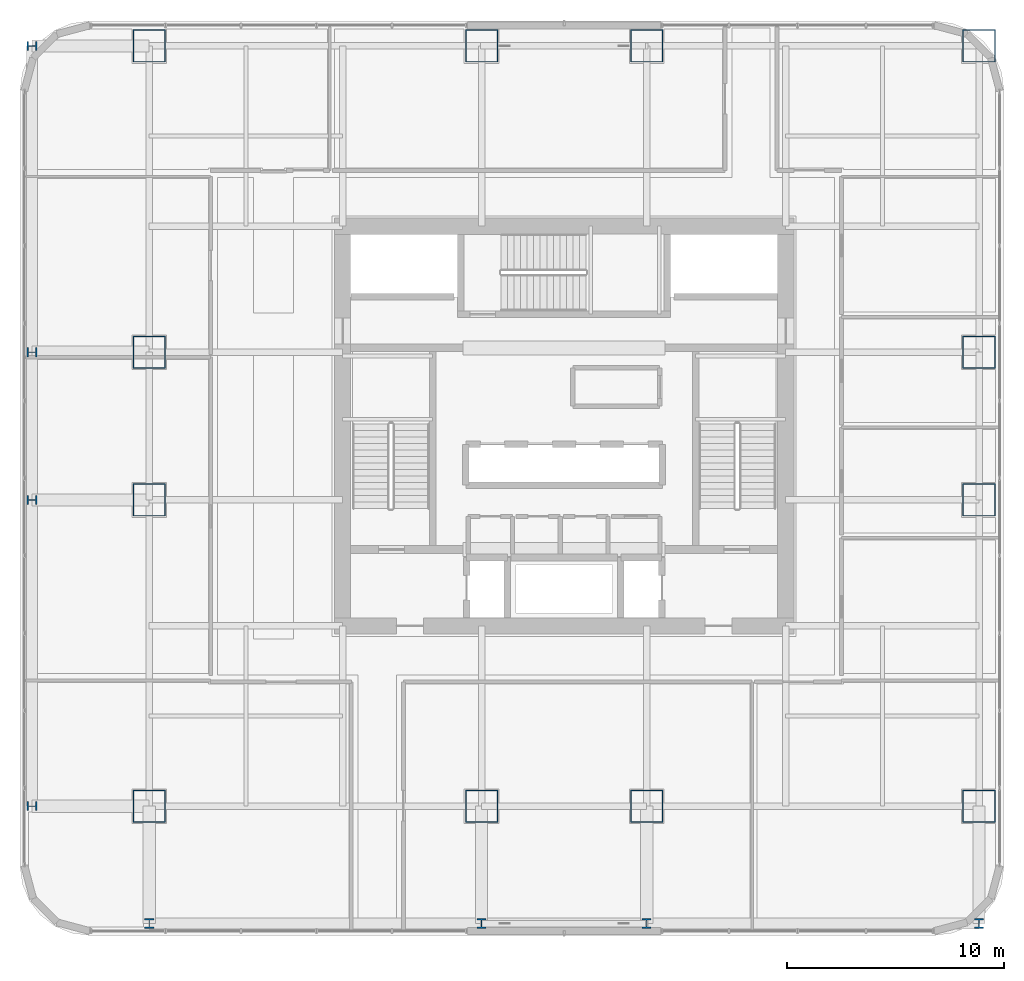
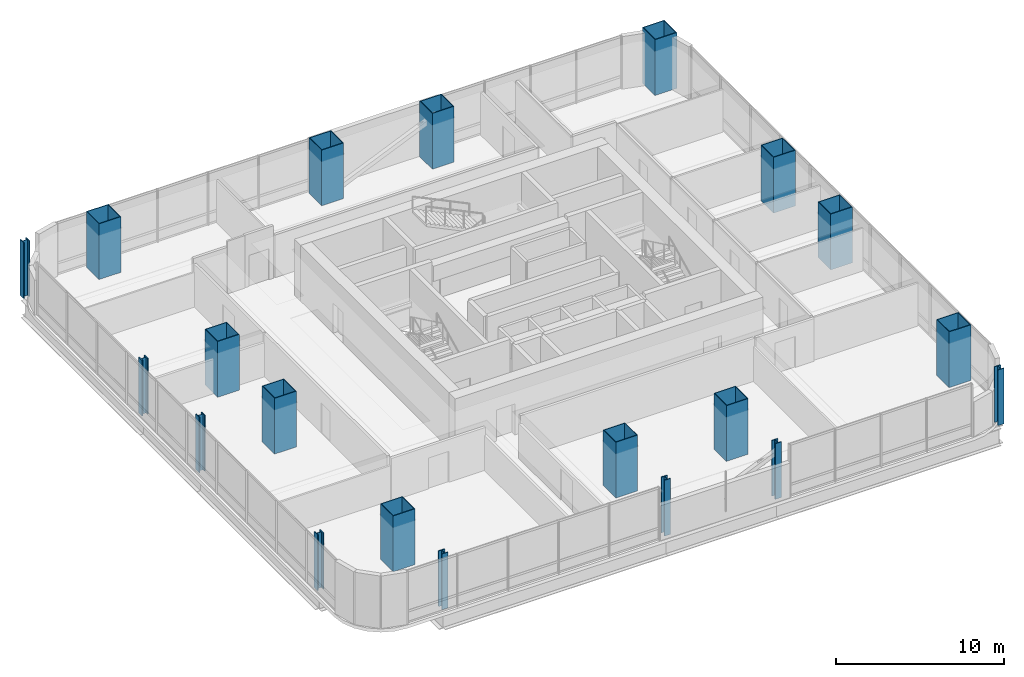
# One storey, part 1 of 37: 20 columns.
"""IFC4 building model written with IfcOpenShell, lengths in metres."""

from ifc_helpers import new_model, si_unit, direction, frame, origin, origin_2d, place, context, subcontext, project, spatial, hollow_rectangle, i_section, extrude, material, material_profile, profile_set, type_object, element, save


model = new_model("IFC4")

# Units and contexts
model_context = context("Model", 3, precision=1e-05, world=origin(), true_north=direction((0.0, 1.0)))
body_context = subcontext(model_context, "Body", "Model", "MODEL_VIEW")
ifc_project = project(units=[si_unit("LENGTHUNIT", "METRE"), si_unit("AREAUNIT", "SQUARE_METRE"), si_unit("VOLUMEUNIT", "CUBIC_METRE"), si_unit("PLANEANGLEUNIT", "RADIAN"), si_unit("MASSUNIT", "GRAM", prefix="KILO")], contexts=[model_context])

# Site, building, storey
site_placement = place(None, origin())
site = spatial("IfcSite", under=ifc_project, at=site_placement, CompositionType="ELEMENT")
building_placement = place(site_placement, origin())
building = spatial("IfcBuilding", under=site, at=building_placement, Name="Punatoya Terracotta Tower", CompositionType="ELEMENT")
storey_placement = place(building_placement, frame((0.0, 0.0, 44.39990234375)))
storey = spatial("IfcBuildingStorey", under=building, at=storey_placement, Name="L09", CompositionType="ELEMENT", Elevation=44.39990234375)

# Columns
ifc_material = material(Name="Steel S460", Category="steel")
ifc_material_profile_1 = material_profile(ifc_material, i_section(OverallWidth=0.416015625, OverallDepth=0.446044921875, WebThickness=0.0390625, FlangeThickness=0.06201171875, FilletRadius=0.01806640625, at=origin_2d()))
ifc_profile_set_1 = profile_set([ifc_material_profile_1], Name="Steel S460")
column_type_1 = type_object("IfcColumnType", Name="COL-EX-M1", PredefinedType="COLUMN", material=ifc_profile_set_1)
for number, where, z_axis, x_axis, name in (
    (1, (-19.10009765625, -22.89990234375, 0.0), (0.0, 0.0, 1.0), (1.0, 0.0, 0.0), "L09 Exoskeleton Perimeter Column S1"),
    (2, (-3.800048828125, -22.89990234375, 0.0), (0.0, 0.0, 1.0), (1.0, 0.0, 0.0), "L09 Exoskeleton Perimeter Column S2"),
    (3, (3.800048828125, -22.89990234375, 0.0), (0.0, 0.0, 1.0), (1.0, 0.0, 0.0), "L09 Exoskeleton Perimeter Column S3"),
    (4, (19.10009765625, -22.89990234375, 0.0), (0.0, 0.0, 1.0), (1.0, 0.0, 0.0), "L09 Exoskeleton Perimeter Column S4"),
    (5, (-24.5, -17.5, 0.0), (0.0, 0.0, 1.0), (0.0, 1.0, 0.0), "L09 Exoskeleton Perimeter Column W1"),
    (6, (-24.5, -3.39990234375, 0.0), (0.0, 0.0, 1.0), (0.0, 1.0, 0.0), "L09 Exoskeleton Perimeter Column W2"),
    (7, (-24.5, 3.39990234375, 0.0), (0.0, 0.0, 1.0), (0.0, 1.0, 0.0), "L09 Exoskeleton Perimeter Column W3"),
    (8, (-24.5, 17.5, 0.0), (0.0, 0.0, 1.0), (0.0, 1.0, 0.0), "L09 Exoskeleton Perimeter Column W4"),
):
    element("IfcColumn", number, at=place(storey_placement, frame(where, z_axis=z_axis, x_axis=x_axis)), inside=storey, type_object=column_type_1, Name=name, PredefinedType="COLUMN", context=body_context, shape_type="SweptSolid", body=[
        extrude(i_section(OverallWidth=0.416015625, OverallDepth=0.446044921875, WebThickness=0.0390625, FlangeThickness=0.06201171875, FilletRadius=0.01806640625, at=origin_2d()), origin(), (0.0, 0.0, 1.0), 4.048095703125),
    ])
ifc_material_profile_2 = material_profile(ifc_material, hollow_rectangle(XDim=1.5, YDim=1.5, WallThickness=0.044921875, at=origin_2d()))
ifc_profile_set_2 = profile_set([ifc_material_profile_2], Name="Steel S460")
column_type_2 = type_object("IfcColumnType", Name="COL-MC-Z1", PredefinedType="COLUMN", material=ifc_profile_set_2)
for number, where, z_axis, x_axis, name in (
    (9, (-19.10009765625, -17.5, 0.0), (0.0, 0.0, 1.0), (1.0, 0.0, 0.0), "L09 Composite Mega-Column MC-01 (3-B)"),
    (10, (-3.800048828125, -17.5, 0.0), (0.0, 0.0, 1.0), (1.0, 0.0, 0.0), "L09 Composite Mega-Column MC-02 (5-B)"),
    (11, (3.800048828125, -17.5, 0.0), (0.0, 0.0, 1.0), (1.0, 0.0, 0.0), "L09 Composite Mega-Column MC-03 (7-B)"),
    (12, (19.10009765625, -17.5, 0.0), (0.0, 0.0, 1.0), (1.0, 0.0, 0.0), "L09 Composite Mega-Column MC-04 (9-B)"),
    (13, (19.10009765625, -3.39990234375, 0.0), (0.0, 0.0, 1.0), (1.0, 0.0, 0.0), "L09 Composite Mega-Column MC-05 (9-D)"),
    (14, (19.10009765625, 3.39990234375, 0.0), (0.0, 0.0, 1.0), (1.0, 0.0, 0.0), "L09 Composite Mega-Column MC-06 (9-E)"),
    (15, (19.10009765625, 17.5, 0.0), (0.0, 0.0, 1.0), (1.0, 0.0, 0.0), "L09 Composite Mega-Column MC-07 (9-G)"),
    (16, (3.800048828125, 17.5, 0.0), (0.0, 0.0, 1.0), (1.0, 0.0, 0.0), "L09 Composite Mega-Column MC-08 (7-G)"),
    (17, (-3.800048828125, 17.5, 0.0), (0.0, 0.0, 1.0), (1.0, 0.0, 0.0), "L09 Composite Mega-Column MC-09 (5-G)"),
    (18, (-19.10009765625, 17.5, 0.0), (0.0, 0.0, 1.0), (1.0, 0.0, 0.0), "L09 Composite Mega-Column MC-10 (3-G)"),
    (19, (-19.10009765625, 3.39990234375, 0.0), (0.0, 0.0, 1.0), (1.0, 0.0, 0.0), "L09 Composite Mega-Column MC-11 (3-E)"),
    (20, (-19.10009765625, -3.39990234375, 0.0), (0.0, 0.0, 1.0), (1.0, 0.0, 0.0), "L09 Composite Mega-Column MC-12 (3-D)"),
):
    element("IfcColumn", number, at=place(storey_placement, frame(where, z_axis=z_axis, x_axis=x_axis)), inside=storey, type_object=column_type_2, Name=name, PredefinedType="COLUMN", context=body_context, shape_type="SweptSolid", body=[
        extrude(hollow_rectangle(XDim=1.5, YDim=1.5, WallThickness=0.044921875, at=origin_2d()), origin(), (0.0, 0.0, 1.0), 4.050048828125),
    ])

save(model, "model.ifc")
